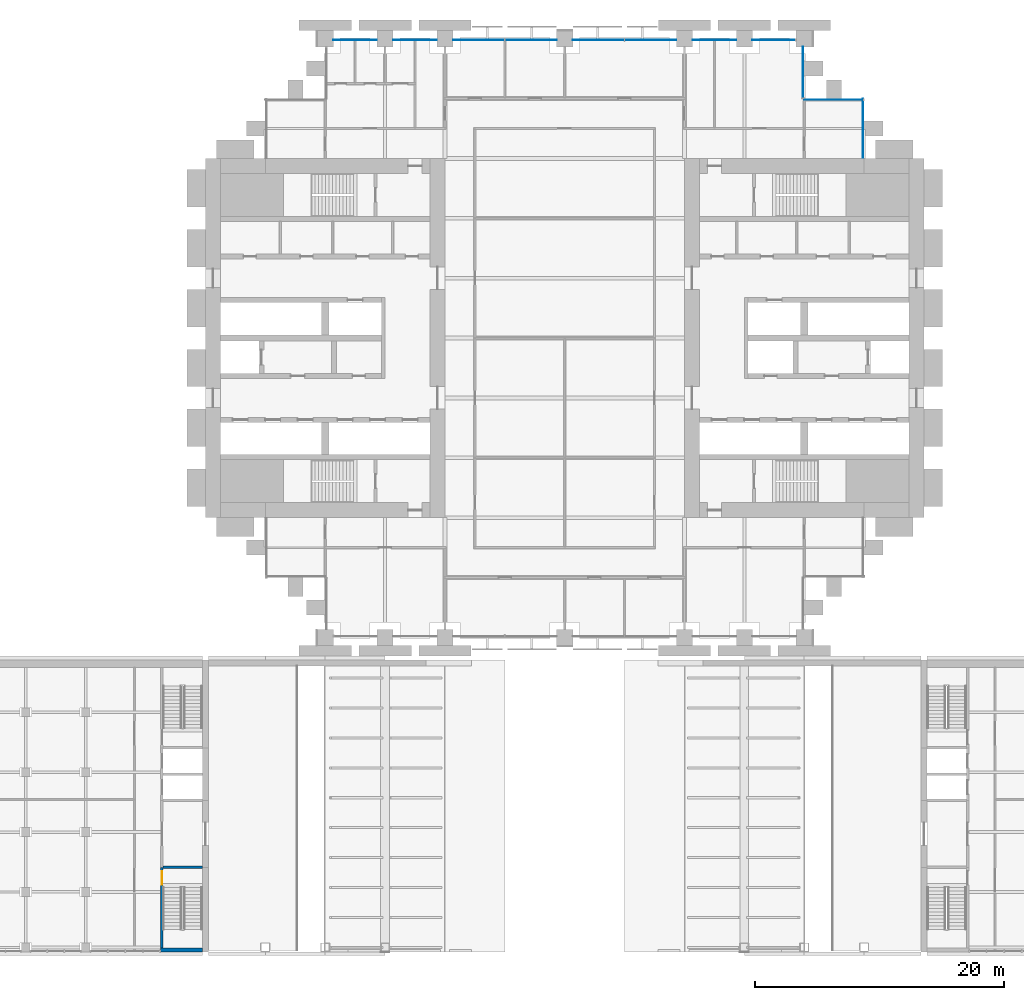
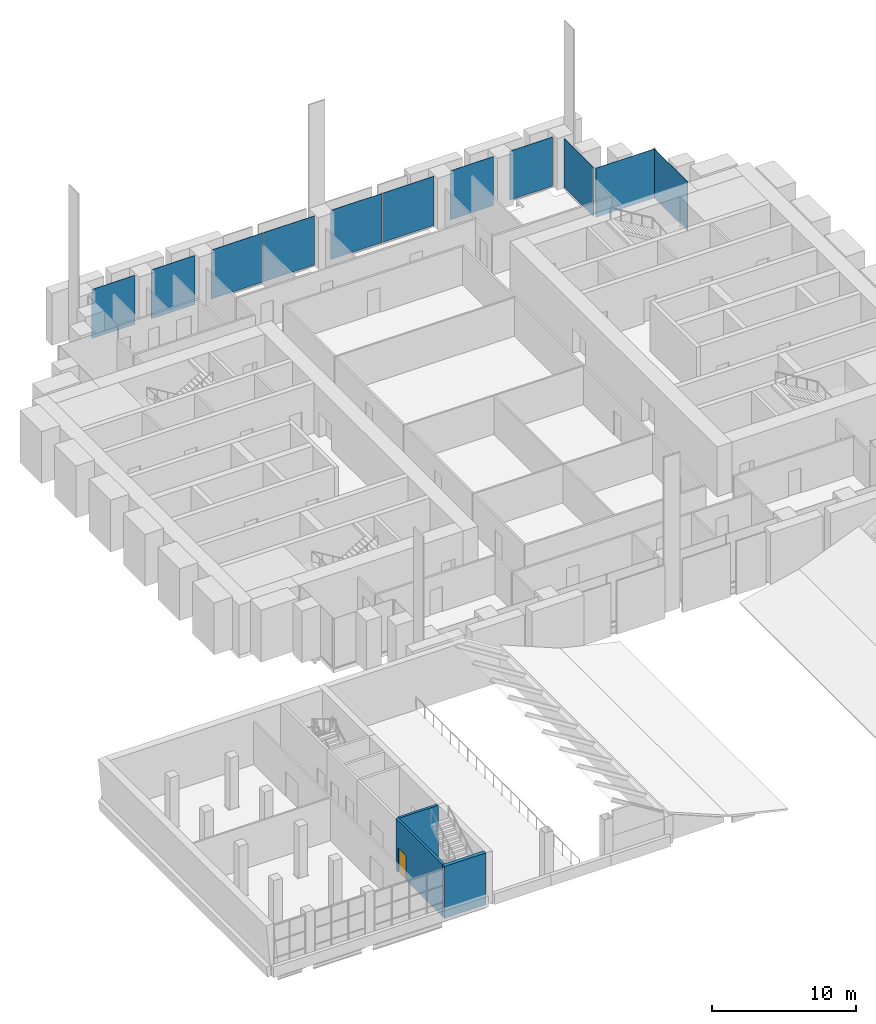
# One storey, part 19 of 32: 11 plates, 3 walls, 1 door, 1 opening, 4 elements without a shape of their own.
"""IFC4 building model written with IfcOpenShell, lengths in metres."""

from ifc_helpers import new_model, si_unit, direction, frame, frame_2d, origin, origin_2d, place, context, subcontext, project, spatial, rectangle, extrude, material, layer, layer_set, type_object, element, fill, aggregate, save


model = new_model("IFC4")

# Units and contexts
model_context = context("Model", 3, precision=1e-05, world=origin(), true_north=direction((0.0, 1.0)))
body_context = subcontext(model_context, "Body", "Model", "MODEL_VIEW")
ifc_project = project(units=[si_unit("LENGTHUNIT", "METRE"), si_unit("AREAUNIT", "SQUARE_METRE"), si_unit("VOLUMEUNIT", "CUBIC_METRE"), si_unit("PLANEANGLEUNIT", "RADIAN"), si_unit("MASSUNIT", "GRAM", prefix="KILO")], contexts=[model_context])

# Site, building, storey
site_placement = place(None, origin())
site = spatial("IfcSite", under=ifc_project, at=site_placement, CompositionType="ELEMENT")
building_placement = place(site_placement, origin())
building = spatial("IfcBuilding", under=site, at=building_placement, Name="Baori Bourse Tower", CompositionType="ELEMENT")
storey_placement = place(building_placement, frame((0.0, 0.0, 12.60009765625)))
storey = spatial("IfcBuildingStorey", under=building, at=storey_placement, Name="L01", CompositionType="ELEMENT", Elevation=12.60009765625)

# Curtain wall, plates
ifc_material_1 = material(Name="Pale anodised aluminium", Category="aluminium")
curtain_wall_type_1 = type_object("IfcCurtainWallType", Name="CW1 Curtain wall", PredefinedType="NOTDEFINED", material=ifc_material_1)
curtain_wall_1_placement = place(storey_placement, origin())
curtain_wall_1 = element("IfcCurtainWall", 1, at=curtain_wall_1_placement, inside=storey, type_object=curtain_wall_type_1, Name="Curtain wall CW1 L01 4", PredefinedType="NOTDEFINED")
ifc_material_2 = material(Name="Clear glass", Category="glass")
ifc_layer_1 = layer(ifc_material_2, 0.033935546875)
ifc_layer_set_1 = layer_set([ifc_layer_1], Name="CW1 Curtain wall panel")
plate_type_1 = type_object("IfcPlateType", Name="CW1 Curtain wall panel", PredefinedType="CURTAIN_PANEL", material=ifc_layer_set_1)
plate_1_placement = place(storey_placement, frame((45.570068359375, 47.89990234375, 0.080078125), z_axis=(0.0, 0.0, 1.0), x_axis=(-1.0, 0.0, 0.0)))
plate_1 = element("IfcPlate", 2, at=plate_1_placement, type_object=plate_type_1, Name="Curtain wall CW1 panel", PredefinedType="CURTAIN_PANEL", context=body_context, shape_type="SweptSolid", body=[
    extrude(rectangle(XDim=3.43994140625, YDim=0.033935546875, at=origin_2d()), origin(), (0.0, 0.0, 1.0), 4.159912109375),
])
plate_2_placement = place(storey_placement, frame((40.800048828125, 47.89990234375, 0.080078125), z_axis=(0.0, 0.0, 1.0), x_axis=(-1.0, 0.0, 0.0)))
plate_2 = element("IfcPlate", 3, at=plate_2_placement, type_object=plate_type_1, Name="Curtain wall CW1 panel", PredefinedType="CURTAIN_PANEL", context=body_context, shape_type="SweptSolid", body=[
    extrude(rectangle(XDim=3.5, YDim=0.033935546875, at=origin_2d()), origin(), (0.0, 0.0, 1.0), 4.159912109375),
])
plate_3_placement = place(storey_placement, frame((35.68994140625, 47.89990234375, 0.080078125), z_axis=(0.0, 0.0, 1.0), x_axis=(-1.0, 0.0, 0.0)))
plate_3 = element("IfcPlate", 4, at=plate_3_placement, type_object=plate_type_1, Name="Curtain wall CW1 panel", PredefinedType="CURTAIN_PANEL", context=body_context, shape_type="SweptSolid", body=[
    extrude(rectangle(XDim=4.1201171875, YDim=0.033935546875, at=origin_2d()), origin(), (0.0, 0.0, 1.0), 4.159912109375),
])
plate_4_placement = place(storey_placement, frame((31.510009765625, 47.89990234375, 0.080078125), z_axis=(0.0, 0.0, 1.0), x_axis=(-1.0, 0.0, 0.0)))
plate_4 = element("IfcPlate", 5, at=plate_4_placement, type_object=plate_type_1, Name="Curtain wall CW1 panel", PredefinedType="CURTAIN_PANEL", context=body_context, shape_type="SweptSolid", body=[
    extrude(rectangle(XDim=4.1201171875, YDim=0.033935546875, at=origin_2d()), origin(), (0.0, 0.0, 1.0), 4.159912109375),
])
plate_5_placement = place(storey_placement, frame((26.090087890625, 47.89990234375, 0.080078125), z_axis=(0.0, 0.0, 1.0), x_axis=(-1.0, 0.0, 0.0)))
plate_5 = element("IfcPlate", 6, at=plate_5_placement, type_object=plate_type_1, Name="Curtain wall CW1 panel", PredefinedType="CURTAIN_PANEL", context=body_context, shape_type="SweptSolid", body=[
    extrude(rectangle(XDim=4.1201171875, YDim=0.033935546875, at=origin_2d()), origin(), (0.0, 0.0, 1.0), 4.159912109375),
])
plate_6_placement = place(storey_placement, frame((21.909912109375, 47.89990234375, 0.080078125), z_axis=(0.0, 0.0, 1.0), x_axis=(-1.0, 0.0, 0.0)))
plate_6 = element("IfcPlate", 7, at=plate_6_placement, type_object=plate_type_1, Name="Curtain wall CW1 panel", PredefinedType="CURTAIN_PANEL", context=body_context, shape_type="SweptSolid", body=[
    extrude(rectangle(XDim=4.1201171875, YDim=0.033935546875, at=origin_2d()), origin(), (0.0, 0.0, 1.0), 4.159912109375),
])
plate_7_placement = place(storey_placement, frame((16.800048828125, 47.89990234375, 0.080078125), z_axis=(0.0, 0.0, 1.0), x_axis=(-1.0, 0.0, 0.0)))
plate_7 = element("IfcPlate", 8, at=plate_7_placement, type_object=plate_type_1, Name="Curtain wall CW1 panel", PredefinedType="CURTAIN_PANEL", context=body_context, shape_type="SweptSolid", body=[
    extrude(rectangle(XDim=3.5, YDim=0.033935546875, at=origin_2d()), origin(), (0.0, 0.0, 1.0), 4.159912109375),
])
plate_8_placement = place(storey_placement, frame((12.0, 47.89990234375, 0.080078125), z_axis=(0.0, 0.0, 1.0), x_axis=(-1.0, 0.0, 0.0)))
plate_8 = element("IfcPlate", 9, at=plate_8_placement, type_object=plate_type_1, Name="Curtain wall CW1 panel", PredefinedType="CURTAIN_PANEL", context=body_context, shape_type="SweptSolid", body=[
    extrude(rectangle(XDim=3.5, YDim=0.033935546875, at=origin_2d()), origin(), (0.0, 0.0, 1.0), 4.159912109375),
])
aggregate(curtain_wall_1, [plate_1, plate_2, plate_3, plate_4, plate_5, plate_6, plate_7, plate_8])

# Curtain wall, plate
ifc_material_3 = material(Name="Pale anodised aluminium", Category="aluminium")
curtain_wall_type_2 = type_object("IfcCurtainWallType", Name="CW2 Curtain wall", PredefinedType="NOTDEFINED", material=ifc_material_3)
curtain_wall_2_placement = place(storey_placement, origin())
curtain_wall_2 = element("IfcCurtainWall", 10, at=curtain_wall_2_placement, inside=storey, type_object=curtain_wall_type_2, Name="Curtain wall CW2 L01 1", PredefinedType="NOTDEFINED")
ifc_material_4 = material(Name="Clear glass", Category="glass")
ifc_layer_2 = layer(ifc_material_4, 0.030029296875)
ifc_layer_set_2 = layer_set([ifc_layer_2], Name="CW2 Curtain wall panel")
plate_type_2 = type_object("IfcPlateType", Name="CW2 Curtain wall panel", PredefinedType="CURTAIN_PANEL", material=ifc_layer_set_2)
plate_9_placement = place(storey_placement, frame((52.7099609375, 40.827392578125, 0.06982421875), z_axis=(0.0, 0.0, 1.0), x_axis=(0.0, 1.0, 0.0)))
plate_9 = element("IfcPlate", 11, at=plate_9_placement, type_object=plate_type_2, Name="Curtain wall CW2 panel", PredefinedType="CURTAIN_PANEL", context=body_context, shape_type="SweptSolid", body=[
    extrude(rectangle(XDim=4.7451171875, YDim=0.030029296875, at=origin_2d()), origin(), (0.0, 0.0, 1.0), 4.169921875),
])
aggregate(curtain_wall_2, [plate_9])

curtain_wall_3_placement = place(storey_placement, origin())
curtain_wall_3 = element("IfcCurtainWall", 12, at=curtain_wall_3_placement, inside=storey, type_object=curtain_wall_type_2, Name="Curtain wall CW2 L01 2", PredefinedType="NOTDEFINED")
plate_10_placement = place(storey_placement, frame((50.37255859375, 43.110107421875, 0.06982421875), z_axis=(0.0, 0.0, 1.0), x_axis=(-1.0, 0.0, 0.0)))
plate_10 = element("IfcPlate", 13, at=plate_10_placement, type_object=plate_type_2, Name="Curtain wall CW2 panel", PredefinedType="CURTAIN_PANEL", context=body_context, shape_type="SweptSolid", body=[
    extrude(rectangle(XDim=4.7451171875, YDim=0.030029296875, at=origin_2d()), origin(), (0.0, 0.0, 1.0), 4.169921875),
])
aggregate(curtain_wall_3, [plate_10])

curtain_wall_4_placement = place(storey_placement, origin())
curtain_wall_4 = element("IfcCurtainWall", 14, at=curtain_wall_4_placement, inside=storey, type_object=curtain_wall_type_2, Name="Curtain wall CW2 L01 3", PredefinedType="NOTDEFINED")
plate_11_placement = place(storey_placement, frame((47.909912109375, 45.302490234375, 0.06982421875), z_axis=(0.0, 0.0, 1.0), x_axis=(0.0, 1.0, 0.0)))
plate_11 = element("IfcPlate", 15, at=plate_11_placement, type_object=plate_type_2, Name="Curtain wall CW2 panel", PredefinedType="CURTAIN_PANEL", context=body_context, shape_type="SweptSolid", body=[
    extrude(rectangle(XDim=4.094970703125, YDim=0.030029296875, at=origin_2d()), origin(), (0.0, 0.0, 1.0), 4.169921875),
])
aggregate(curtain_wall_4, [plate_11])

# Wall
ifc_material_5 = material(Name="Concrete f'c 50 MPa", Category="concrete")
ifc_layer_3 = layer(ifc_material_5, 0.300048828125)
ifc_layer_set_3 = layer_set([ifc_layer_3], Name="Entrance wall 300")
wall_type_1 = type_object("IfcWallType", Name="Entrance wall 300", PredefinedType="SOLIDWALL", material=ifc_layer_set_3)
wall_1_placement = place(storey_placement, frame((-3.60009765625, -25.050048828125, 0.0), z_axis=(0.0, 0.0, 1.0), x_axis=(1.0, 0.0, 0.0)))
element("IfcWall", 16, at=wall_1_placement, inside=storey, type_object=wall_type_1, Name="wing/L01/Wsouthwall/001", PredefinedType="SOLIDWALL", context=body_context, shape_type="SweptSolid", body=[
    extrude(rectangle(XDim=3.35009765625, YDim=0.300048828125, at=frame_2d((1.675048828125, 0.0))), origin(), (0.0, 0.0, 1.0), 4.39990234375),
])

# Wall, opening, door
ifc_material_6 = material(Name="Concrete f'c 50 MPa", Category="concrete")
ifc_layer_4 = layer(ifc_material_6, 0.199951171875)
ifc_layer_set_4 = layer_set([ifc_layer_4], Name="Shaft wall 200")
wall_type_2 = type_object("IfcWallType", Name="Shaft wall 200", PredefinedType="SOLIDWALL", material=ifc_layer_set_4)
wall_2_placement = place(storey_placement, frame((-3.5, -18.43994140625, 0.0), z_axis=(0.0, 0.0, 1.0), x_axis=(0.0, -1.0, 0.0)))
wall_2 = element("IfcWall", 17, at=wall_2_placement, inside=storey, type_object=wall_type_2, Name="wing/L01/WcorrwallE/004", PredefinedType="SOLIDWALL", context=body_context, shape_type="SweptSolid", body=[
    extrude(rectangle(XDim=6.4599609375, YDim=0.199951171875, at=frame_2d((3.22998046875, 0.0))), origin(), (0.0, 0.0, 1.0), 4.39990234375),
])
opening_placement = place(wall_2_placement, frame((0.300048828125, 0.0, 0.0)))
opening = element("IfcOpeningElement", 18, at=opening_placement, cuts=wall_2, Name="Opening WGW-L01-02", PredefinedType="OPENING", context=body_context, shape_type="SweptSolid", body=[
    extrude(rectangle(XDim=1.10009765625, YDim=2.10009765625, at=frame_2d((0.550048828125, 1.050048828125))), frame((0.0, 0.10986328125, 0.0), z_axis=(0.0, -1.0, 0.0), x_axis=(1.0, 0.0, 0.0)), (0.0, 0.0, 1.0), 0.219970703125),
])
ifc_material_7 = material(Name="Steel fire door", Category="steel")
door_type = type_object("IfcDoorType", Name="Wing stair door 1100", OperationType="SINGLE_SWING_LEFT", PredefinedType="DOOR", material=ifc_material_7)
door_placement = place(opening_placement, origin())
door = element("IfcDoor", 19, at=door_placement, inside=storey, type_object=door_type, Name="WGW-L01-02", OperationType="SINGLE_SWING_LEFT", OverallHeight=2.10009765625, OverallWidth=1.10009765625, PredefinedType="DOOR", context=body_context, shape_type="SweptSolid", body=[
    extrude(rectangle(XDim=1.10009765625, YDim=2.10009765625, at=frame_2d((0.550048828125, 1.050048828125))), frame((0.0, 0.02490234375, 0.0), z_axis=(0.0, -1.0, 0.0), x_axis=(1.0, 0.0, 0.0)), (0.0, 0.0, 1.0), 0.050048828125),
])
fill(opening, door)

# Wall
wall_3_placement = place(storey_placement, frame((-3.39990234375, -18.43994140625, 0.0), z_axis=(0.0, 0.0, 1.0), x_axis=(1.0, 0.0, 0.0)))
element("IfcWall", 20, at=wall_3_placement, inside=storey, type_object=wall_type_2, Name="wing/L01/Wshaftwall/004", PredefinedType="SOLIDWALL", context=body_context, shape_type="SweptSolid", body=[
    extrude(rectangle(XDim=3.14990234375, YDim=0.199951171875, at=frame_2d((1.574951171875, 0.0))), origin(), (0.0, 0.0, 1.0), 4.39990234375),
])

save(model, "model.ifc")
